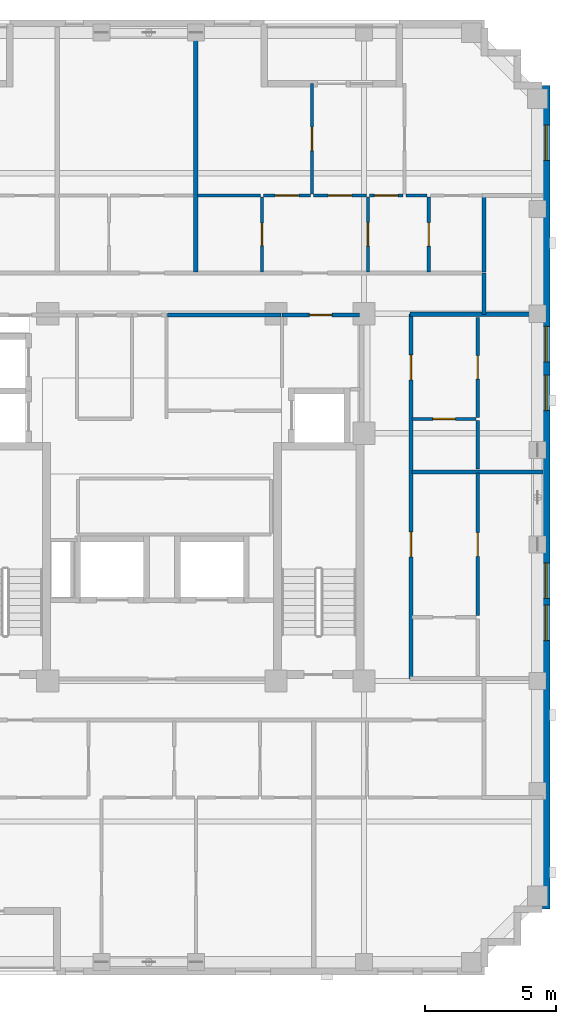
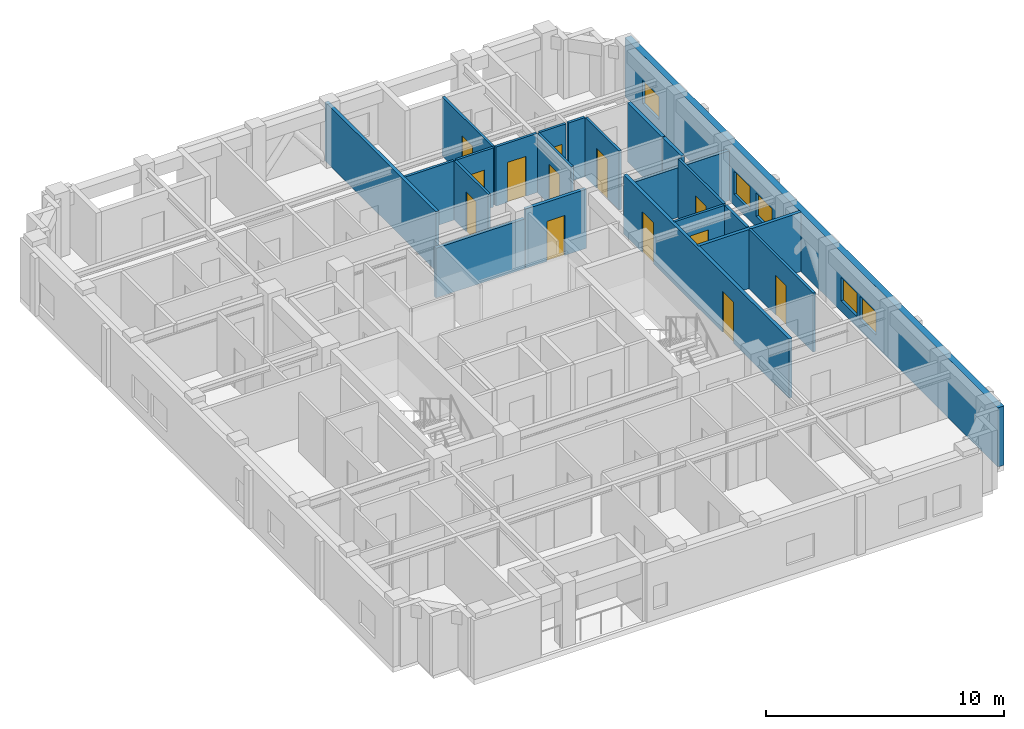
# One storey, part 6 of 11: 22 walls, 13 doors, 5 windows, 18 openings.
"""IFC4 building model written with IfcOpenShell, lengths in metres."""

from ifc_helpers import new_model, si_unit, derived_unit, direction, frame, frame_2d, origin, place, context, subcontext, project, spatial, rectangle, extrude, material, layer, layer_set, type_object, element, fill, save


model = new_model("IFC4")

# Units and contexts
model_context = context("Model", 3, precision=1e-05, world=origin(), true_north=direction((0.0, 1.0)))
body_context = subcontext(model_context, "Body", "Model", "MODEL_VIEW")
ifc_project = project(units=[si_unit("LENGTHUNIT", "METRE"), si_unit("AREAUNIT", "SQUARE_METRE"), si_unit("VOLUMEUNIT", "CUBIC_METRE"), si_unit("PLANEANGLEUNIT", "RADIAN"), si_unit("MASSUNIT", "GRAM", prefix="KILO"), derived_unit("THERMALTRANSMITTANCEUNIT", [(si_unit("MASSUNIT", "GRAM", prefix="KILO"), 1), (si_unit("TIMEUNIT", "SECOND"), -3), (si_unit("THERMODYNAMICTEMPERATUREUNIT", "KELVIN"), -1)])], contexts=[model_context])

# Site, building, storey
site_placement = place(None, origin())
site = spatial("IfcSite", under=ifc_project, at=site_placement, CompositionType="ELEMENT")
building_placement = place(site_placement, origin())
building = spatial("IfcBuilding", under=site, at=building_placement, Name="Korrvale Station Residences", CompositionType="ELEMENT")
storey_placement = place(building_placement, frame((0.0, 0.0, 187.60009765625)))
storey = spatial("IfcBuildingStorey", under=building, at=storey_placement, Name="L54", CompositionType="ELEMENT", Elevation=187.60009765625)

# Wall, openings, windows
ifc_material_1 = material(Name="Precast concrete C45/55", Category="concrete")
ifc_layer_1 = layer(ifc_material_1, 0.300048828125, Name="Precast concrete C45/55")
ifc_layer_set_1 = layer_set([ifc_layer_1], Name="Precast concrete C45/55")
wall_type_1 = type_object("IfcWallType", Name="WAL-EXT-PC300", PredefinedType="SOLIDWALL", material=ifc_layer_set_1)
wall_1_placement = place(storey_placement, frame((40.14990234375, 37.699951171875, 0.0), z_axis=(0.0, 0.0, 1.0), x_axis=(0.0, -1.0, 0.0)))
wall_1 = element("IfcWall", 1, at=wall_1_placement, inside=storey, type_object=wall_type_1, Name="L54 East Exterior Precast Wall 1", PredefinedType="SOLIDWALL", context=body_context, shape_type="SweptSolid", body=[
    extrude(rectangle(XDim=31.39990234375, YDim=0.300048828125, at=frame_2d((15.699951171875, 0.0))), origin(), (0.0, 0.0, 1.0), 3.039794921875),
])
opening_1_placement = place(wall_1_placement, frame((1.50390625, 0.0, 0.550048828125)))
opening_1 = element("IfcOpeningElement", 2, at=opening_1_placement, cuts=wall_1, Name="Opening W-10", PredefinedType="OPENING", context=body_context, shape_type="SweptSolid", body=[
    extrude(rectangle(XDim=1.35009765625, YDim=1.199951171875, at=frame_2d((0.675048828125, 0.60009765625))), frame((0.0, 0.16015625, 0.0), z_axis=(0.0, -1.0, 0.0), x_axis=(1.0, 0.0, 0.0)), (0.0, 0.0, 1.0), 0.320068359375),
])
opening_2_placement = place(wall_1_placement, frame((18.199951171875, 0.0, 0.550048828125)))
opening_2 = element("IfcOpeningElement", 3, at=opening_2_placement, cuts=wall_1, Name="Opening W-10", PredefinedType="OPENING", context=body_context, shape_type="SweptSolid", body=[
    extrude(rectangle(XDim=1.35009765625, YDim=1.199951171875, at=frame_2d((0.675048828125, 0.60009765625))), frame((0.0, 0.16015625, 0.0), z_axis=(0.0, -1.0, 0.0), x_axis=(1.0, 0.0, 0.0)), (0.0, 0.0, 1.0), 0.320068359375),
])
opening_3_placement = place(wall_1_placement, frame((19.81005859375, 0.0, 0.550048828125)))
opening_3 = element("IfcOpeningElement", 4, at=opening_3_placement, cuts=wall_1, Name="Opening W-10", PredefinedType="OPENING", context=body_context, shape_type="SweptSolid", body=[
    extrude(rectangle(XDim=1.35009765625, YDim=1.199951171875, at=frame_2d((0.675048828125, 0.60009765625))), frame((0.0, 0.16015625, 0.0), z_axis=(0.0, -1.0, 0.0), x_axis=(1.0, 0.0, 0.0)), (0.0, 0.0, 1.0), 0.320068359375),
])
opening_4_placement = place(wall_1_placement, frame((11.04296875, 0.0, 0.550048828125)))
opening_4 = element("IfcOpeningElement", 5, at=opening_4_placement, cuts=wall_1, Name="Opening W-10", PredefinedType="OPENING", context=body_context, shape_type="SweptSolid", body=[
    extrude(rectangle(XDim=1.35009765625, YDim=1.199951171875, at=frame_2d((0.675048828125, 0.60009765625))), frame((0.0, 0.16015625, 0.0), z_axis=(0.0, -1.0, 0.0), x_axis=(1.0, 0.0, 0.0)), (0.0, 0.0, 1.0), 0.320068359375),
])
opening_5_placement = place(wall_1_placement, frame((9.18505859375, 0.0, 0.550048828125)))
opening_5 = element("IfcOpeningElement", 6, at=opening_5_placement, cuts=wall_1, Name="Opening W-10", PredefinedType="OPENING", context=body_context, shape_type="SweptSolid", body=[
    extrude(rectangle(XDim=1.35009765625, YDim=1.199951171875, at=frame_2d((0.675048828125, 0.60009765625))), frame((0.0, 0.16015625, 0.0), z_axis=(0.0, -1.0, 0.0), x_axis=(1.0, 0.0, 0.0)), (0.0, 0.0, 1.0), 0.320068359375),
])
ifc_material_2 = material(Name="Thermally broken aluminium frame with triple low-e glazing", Category="aluminium")
window_type = type_object("IfcWindowType", Name="WIN-W10", PartitioningType="SINGLE_PANEL", PredefinedType="WINDOW", material=ifc_material_2)
window_1_placement = place(opening_1_placement, origin())
window_1 = element("IfcWindow", 7, at=window_1_placement, inside=storey, type_object=window_type, Name="L54 Punched Window 10", OverallHeight=1.199951171875, OverallWidth=1.35009765625, PartitioningType="SINGLE_PANEL", PredefinedType="WINDOW", context=body_context, shape_type="SweptSolid", body=[
    extrude(rectangle(XDim=1.35009765625, YDim=1.199951171875, at=frame_2d((0.675048828125, 0.60009765625))), frame((0.0, 0.030029296875, 0.0), z_axis=(0.0, -1.0, 0.0), x_axis=(1.0, 0.0, 0.0)), (0.0, 0.0, 1.0), 0.06005859375),
])
fill(opening_1, window_1)
window_2_placement = place(opening_2_placement, origin())
window_2 = element("IfcWindow", 8, at=window_2_placement, inside=storey, type_object=window_type, Name="L54 Punched Window 15", OverallHeight=1.199951171875, OverallWidth=1.35009765625, PartitioningType="SINGLE_PANEL", PredefinedType="WINDOW", context=body_context, shape_type="SweptSolid", body=[
    extrude(rectangle(XDim=1.35009765625, YDim=1.199951171875, at=frame_2d((0.675048828125, 0.60009765625))), frame((0.0, 0.030029296875, 0.0), z_axis=(0.0, -1.0, 0.0), x_axis=(1.0, 0.0, 0.0)), (0.0, 0.0, 1.0), 0.06005859375),
])
fill(opening_2, window_2)
window_3_placement = place(opening_3_placement, origin())
window_3 = element("IfcWindow", 9, at=window_3_placement, inside=storey, type_object=window_type, Name="L54 Punched Window 16", OverallHeight=1.199951171875, OverallWidth=1.35009765625, PartitioningType="SINGLE_PANEL", PredefinedType="WINDOW", context=body_context, shape_type="SweptSolid", body=[
    extrude(rectangle(XDim=1.35009765625, YDim=1.199951171875, at=frame_2d((0.675048828125, 0.60009765625))), frame((0.0, 0.030029296875, 0.0), z_axis=(0.0, -1.0, 0.0), x_axis=(1.0, 0.0, 0.0)), (0.0, 0.0, 1.0), 0.06005859375),
])
fill(opening_3, window_3)
window_4_placement = place(opening_4_placement, origin())
window_4 = element("IfcWindow", 10, at=window_4_placement, inside=storey, type_object=window_type, Name="L54 Punched Window 17", OverallHeight=1.199951171875, OverallWidth=1.35009765625, PartitioningType="SINGLE_PANEL", PredefinedType="WINDOW", context=body_context, shape_type="SweptSolid", body=[
    extrude(rectangle(XDim=1.35009765625, YDim=1.199951171875, at=frame_2d((0.675048828125, 0.60009765625))), frame((0.0, 0.030029296875, 0.0), z_axis=(0.0, -1.0, 0.0), x_axis=(1.0, 0.0, 0.0)), (0.0, 0.0, 1.0), 0.06005859375),
])
fill(opening_4, window_4)
window_5_placement = place(opening_5_placement, origin())
window_5 = element("IfcWindow", 11, at=window_5_placement, inside=storey, type_object=window_type, Name="L54 Punched Window 18", OverallHeight=1.199951171875, OverallWidth=1.35009765625, PartitioningType="SINGLE_PANEL", PredefinedType="WINDOW", context=body_context, shape_type="SweptSolid", body=[
    extrude(rectangle(XDim=1.35009765625, YDim=1.199951171875, at=frame_2d((0.675048828125, 0.60009765625))), frame((0.0, 0.030029296875, 0.0), z_axis=(0.0, -1.0, 0.0), x_axis=(1.0, 0.0, 0.0)), (0.0, 0.0, 1.0), 0.06005859375),
])
fill(opening_5, window_5)

# Wall, opening, door
ifc_material_3 = material(Name="Acoustic steel-stud gypsum board partition", Category="steel")
ifc_layer_2 = layer(ifc_material_3, 0.1201171875, Name="Acoustic steel-stud gypsum board partition")
ifc_layer_set_2 = layer_set([ifc_layer_2], Name="Acoustic steel-stud gypsum board partition")
wall_type_2 = type_object("IfcWallType", Name="WAL-PART-125", PredefinedType="PARTITIONING", material=ifc_layer_set_2)
wall_2_placement = place(storey_placement, frame((29.31201171875, 30.60009765625, 0.0), z_axis=(0.0, 0.0, 1.0), x_axis=(0.0, 1.0, 0.0)))
wall_2 = element("IfcWall", 12, at=wall_2_placement, inside=storey, type_object=wall_type_2, Name="L54 Suite Partition U06-V01", PredefinedType="PARTITIONING", context=body_context, shape_type="SweptSolid", body=[
    extrude(rectangle(XDim=2.849853515625, YDim=0.1201171875, at=frame_2d((1.4248046875, 0.0))), origin(), (0.0, 0.0, 1.0), 3.039794921875),
])
opening_6_placement = place(wall_2_placement, frame((0.9951171875, 0.0, 0.0)))
opening_6 = element("IfcOpeningElement", 13, at=opening_6_placement, cuts=wall_2, Name="Opening DB-860", PredefinedType="OPENING", context=body_context, shape_type="SweptSolid", body=[
    extrude(rectangle(XDim=0.860107421875, YDim=2.050048828125, at=frame_2d((0.43017578125, 1.02490234375))), frame((0.0, 0.070068359375, 0.0), z_axis=(0.0, -1.0, 0.0), x_axis=(1.0, 0.0, 0.0)), (0.0, 0.0, 1.0), 0.14013671875),
])
ifc_material_4 = material(Name="Moisture-resistant solid-core bathroom door", Category="timber")
door_type_1 = type_object("IfcDoorType", Name="DR-BATH-860", OperationType="NOTDEFINED", PredefinedType="DOOR", material=ifc_material_4)
door_1_placement = place(opening_6_placement, origin())
door_1 = element("IfcDoor", 14, at=door_1_placement, inside=storey, type_object=door_type_1, Name="L54 Apartment 1BR L54-U06 Bathroom Door", OperationType="SINGLE_SWING_LEFT", OverallHeight=2.050048828125, OverallWidth=0.860107421875, PredefinedType="DOOR", context=body_context, shape_type="SweptSolid", body=[
    extrude(rectangle(XDim=0.860107421875, YDim=2.050048828125, at=frame_2d((0.43017578125, 1.02490234375))), frame((0.0, 0.02490234375, 0.0), z_axis=(0.0, -1.0, 0.0), x_axis=(1.0, 0.0, 0.0)), (0.0, 0.0, 1.0), 0.050048828125),
])
fill(opening_6, door_1)

# Wall
wall_3_placement = place(storey_placement, frame((26.85205078125, 33.510009765625, 0.0), z_axis=(0.0, 0.0, 1.0), x_axis=(1.0, 0.0, 0.0)))
element("IfcWall", 15, at=wall_3_placement, inside=storey, type_object=wall_type_2, Name="L54 Suite Partition U06-H04", PredefinedType="PARTITIONING", context=body_context, shape_type="SweptSolid", body=[
    extrude(rectangle(XDim=2.39990234375, YDim=0.1201171875, at=frame_2d((1.199951171875, 0.0))), origin(), (0.0, 0.0, 1.0), 3.039794921875),
])

# Wall, opening, door
wall_4_placement = place(storey_placement, frame((33.35205078125, 30.60009765625, 0.0), z_axis=(0.0, 0.0, 1.0), x_axis=(0.0, 1.0, 0.0)))
wall_4 = element("IfcWall", 16, at=wall_4_placement, inside=storey, type_object=wall_type_2, Name="L54 Suite Partition U06-V12", PredefinedType="PARTITIONING", context=body_context, shape_type="SweptSolid", body=[
    extrude(rectangle(XDim=2.849853515625, YDim=0.1201171875, at=frame_2d((1.4248046875, 0.0))), origin(), (0.0, 0.0, 1.0), 3.039794921875),
])
opening_7_placement = place(wall_4_placement, frame((0.97509765625, 0.0, 0.0)))
opening_7 = element("IfcOpeningElement", 17, at=opening_7_placement, cuts=wall_4, Name="Opening DI-900", PredefinedType="OPENING", context=body_context, shape_type="SweptSolid", body=[
    extrude(rectangle(XDim=0.89990234375, YDim=2.050048828125, at=frame_2d((0.449951171875, 1.02490234375))), frame((0.0, 0.070068359375, 0.0), z_axis=(0.0, -1.0, 0.0), x_axis=(1.0, 0.0, 0.0)), (0.0, 0.0, 1.0), 0.14013671875),
])
ifc_material_5 = material(Name="Painted solid-core timber interior room door", Category="wood")
door_type_2 = type_object("IfcDoorType", Name="DR-INT-900", OperationType="NOTDEFINED", PredefinedType="DOOR", material=ifc_material_5)
door_2_placement = place(opening_7_placement, origin())
door_2 = element("IfcDoor", 18, at=door_2_placement, inside=storey, type_object=door_type_2, Name="L54 Apartment 1BR L54-U06 Kitchen Door", OperationType="SINGLE_SWING_RIGHT", OverallHeight=2.050048828125, OverallWidth=0.89990234375, PredefinedType="DOOR", context=body_context, shape_type="SweptSolid", body=[
    extrude(rectangle(XDim=0.89990234375, YDim=2.050048828125, at=frame_2d((0.449951171875, 1.02490234375))), frame((0.0, 0.02490234375, 0.0), z_axis=(0.0, -1.0, 0.0), x_axis=(1.0, 0.0, 0.0)), (0.0, 0.0, 1.0), 0.050048828125),
])
fill(opening_7, door_2)

wall_5_placement = place(storey_placement, frame((29.3720703125, 33.510009765625, 0.0), z_axis=(0.0, 0.0, 1.0), x_axis=(1.0, 0.0, 0.0)))
wall_5 = element("IfcWall", 19, at=wall_5_placement, inside=storey, type_object=wall_type_2, Name="L54 Suite Partition U06-H14", PredefinedType="PARTITIONING", context=body_context, shape_type="SweptSolid", body=[
    extrude(rectangle(XDim=1.791015625, YDim=0.1201171875, at=frame_2d((0.8955078125, 0.0))), origin(), (0.0, 0.0, 1.0), 3.039794921875),
])
opening_8_placement = place(wall_5_placement, frame((0.445068359375, 0.0, 0.0)))
opening_8 = element("IfcOpeningElement", 20, at=opening_8_placement, cuts=wall_5, Name="Opening DI-900", PredefinedType="OPENING", context=body_context, shape_type="SweptSolid", body=[
    extrude(rectangle(XDim=0.89990234375, YDim=2.050048828125, at=frame_2d((0.449951171875, 1.02490234375))), frame((0.0, 0.070068359375, 0.0), z_axis=(0.0, -1.0, 0.0), x_axis=(1.0, 0.0, 0.0)), (0.0, 0.0, 1.0), 0.14013671875),
])
door_3_placement = place(opening_8_placement, origin())
door_3 = element("IfcDoor", 21, at=door_3_placement, inside=storey, type_object=door_type_2, Name="L54 Apartment 1BR L54-U06 Kitchen Door", OperationType="SINGLE_SWING_LEFT", OverallHeight=2.050048828125, OverallWidth=0.89990234375, PredefinedType="DOOR", context=body_context, shape_type="SweptSolid", body=[
    extrude(rectangle(XDim=0.89990234375, YDim=2.050048828125, at=frame_2d((0.449951171875, 1.02490234375))), frame((0.0, 0.02490234375, 0.0), z_axis=(0.0, -1.0, 0.0), x_axis=(1.0, 0.0, 0.0)), (0.0, 0.0, 1.0), 0.050048828125),
])
fill(opening_8, door_3)

wall_6_placement = place(storey_placement, frame((31.282958984375, 33.510009765625, 0.0), z_axis=(0.0, 0.0, 1.0), x_axis=(1.0, 0.0, 0.0)))
wall_6 = element("IfcWall", 22, at=wall_6_placement, inside=storey, type_object=wall_type_2, Name="L54 Suite Partition U06-H15", PredefinedType="PARTITIONING", context=body_context, shape_type="SweptSolid", body=[
    extrude(rectangle(XDim=2.009033203125, YDim=0.1201171875, at=frame_2d((1.00439453125, 0.0))), origin(), (0.0, 0.0, 1.0), 3.039794921875),
])
opening_9_placement = place(wall_6_placement, frame((0.553955078125, 0.0, 0.0)))
opening_9 = element("IfcOpeningElement", 23, at=opening_9_placement, cuts=wall_6, Name="Opening DI-900", PredefinedType="OPENING", context=body_context, shape_type="SweptSolid", body=[
    extrude(rectangle(XDim=0.89990234375, YDim=2.050048828125, at=frame_2d((0.449951171875, 1.02490234375))), frame((0.0, 0.070068359375, 0.0), z_axis=(0.0, -1.0, 0.0), x_axis=(1.0, 0.0, 0.0)), (0.0, 0.0, 1.0), 0.14013671875),
])
door_4_placement = place(opening_9_placement, origin())
door_4 = element("IfcDoor", 24, at=door_4_placement, inside=storey, type_object=door_type_2, Name="L54 Apartment 1BR L54-U06 Kitchen Door", OperationType="SINGLE_SWING_RIGHT", OverallHeight=2.050048828125, OverallWidth=0.89990234375, PredefinedType="DOOR", context=body_context, shape_type="SweptSolid", body=[
    extrude(rectangle(XDim=0.89990234375, YDim=2.050048828125, at=frame_2d((0.449951171875, 1.02490234375))), frame((0.0, 0.02490234375, 0.0), z_axis=(0.0, -1.0, 0.0), x_axis=(1.0, 0.0, 0.0)), (0.0, 0.0, 1.0), 0.050048828125),
])
fill(opening_9, door_4)

wall_7_placement = place(storey_placement, frame((35.672119140625, 30.60009765625, 0.0), z_axis=(0.0, 0.0, 1.0), x_axis=(0.0, 1.0, 0.0)))
wall_7 = element("IfcWall", 25, at=wall_7_placement, inside=storey, type_object=wall_type_2, Name="L54 Suite Partition U06-V23", PredefinedType="PARTITIONING", context=body_context, shape_type="SweptSolid", body=[
    extrude(rectangle(XDim=2.849853515625, YDim=0.1201171875, at=frame_2d((1.4248046875, 0.0))), origin(), (0.0, 0.0, 1.0), 3.039794921875),
])
opening_10_placement = place(wall_7_placement, frame((0.97509765625, 0.0, 0.0)))
opening_10 = element("IfcOpeningElement", 26, at=opening_10_placement, cuts=wall_7, Name="Opening DI-900", PredefinedType="OPENING", context=body_context, shape_type="SweptSolid", body=[
    extrude(rectangle(XDim=0.89990234375, YDim=2.050048828125, at=frame_2d((0.449951171875, 1.02490234375))), frame((0.0, 0.070068359375, 0.0), z_axis=(0.0, -1.0, 0.0), x_axis=(1.0, 0.0, 0.0)), (0.0, 0.0, 1.0), 0.14013671875),
])
door_5_placement = place(opening_10_placement, origin())
door_5 = element("IfcDoor", 27, at=door_5_placement, inside=storey, type_object=door_type_2, Name="L54 Apartment 1BR L54-U06 Wardrobe Storage Room Door", OperationType="SINGLE_SWING_LEFT", OverallHeight=2.050048828125, OverallWidth=0.89990234375, PredefinedType="DOOR", context=body_context, shape_type="SweptSolid", body=[
    extrude(rectangle(XDim=0.89990234375, YDim=2.050048828125, at=frame_2d((0.449951171875, 1.02490234375))), frame((0.0, 0.02490234375, 0.0), z_axis=(0.0, -1.0, 0.0), x_axis=(1.0, 0.0, 0.0)), (0.0, 0.0, 1.0), 0.050048828125),
])
fill(opening_10, door_5)

wall_8_placement = place(storey_placement, frame((33.412109375, 33.510009765625, 0.0), z_axis=(0.0, 0.0, 1.0), x_axis=(1.0, 0.0, 0.0)))
wall_8 = element("IfcWall", 28, at=wall_8_placement, inside=storey, type_object=wall_type_2, Name="L54 Suite Partition U06-H25", PredefinedType="PARTITIONING", context=body_context, shape_type="SweptSolid", body=[
    extrude(rectangle(XDim=1.27783203125, YDim=0.1201171875, at=frame_2d((0.638916015625, 0.0))), origin(), (0.0, 0.0, 1.0), 3.039794921875),
])
opening_11_placement = place(wall_8_placement, frame((0.18896484375, 0.0, 0.0)))
opening_11 = element("IfcOpeningElement", 29, at=opening_11_placement, cuts=wall_8, Name="Opening DI-900", PredefinedType="OPENING", context=body_context, shape_type="SweptSolid", body=[
    extrude(rectangle(XDim=0.89990234375, YDim=2.050048828125, at=frame_2d((0.449951171875, 1.02490234375))), frame((0.0, 0.070068359375, 0.0), z_axis=(0.0, -1.0, 0.0), x_axis=(1.0, 0.0, 0.0)), (0.0, 0.0, 1.0), 0.14013671875),
])
door_6_placement = place(opening_11_placement, origin())
door_6 = element("IfcDoor", 30, at=door_6_placement, inside=storey, type_object=door_type_2, Name="L54 Apartment 1BR L54-U06 Wardrobe Storage Room Door", OperationType="SINGLE_SWING_RIGHT", OverallHeight=2.050048828125, OverallWidth=0.89990234375, PredefinedType="DOOR", context=body_context, shape_type="SweptSolid", body=[
    extrude(rectangle(XDim=0.89990234375, YDim=2.050048828125, at=frame_2d((0.449951171875, 1.02490234375))), frame((0.0, 0.02490234375, 0.0), z_axis=(0.0, -1.0, 0.0), x_axis=(1.0, 0.0, 0.0)), (0.0, 0.0, 1.0), 0.050048828125),
])
fill(opening_11, door_6)

# Wall
wall_9_placement = place(storey_placement, frame((34.81005859375, 33.510009765625, 0.0), z_axis=(0.0, 0.0, 1.0), x_axis=(1.0, 0.0, 0.0)))
element("IfcWall", 31, at=wall_9_placement, inside=storey, type_object=wall_type_2, Name="L54 Suite Partition U06-H26", PredefinedType="PARTITIONING", context=body_context, shape_type="SweptSolid", body=[
    extrude(rectangle(XDim=0.802001953125, YDim=0.1201171875, at=frame_2d((0.40087890625, 0.0))), origin(), (0.0, 0.0, 1.0), 3.039794921875),
])

# Wall, opening, door
wall_10_placement = place(storey_placement, frame((31.222900390625, 33.570068359375, 0.0), z_axis=(0.0, 0.0, 1.0), x_axis=(0.0, 1.0, 0.0)))
wall_10 = element("IfcWall", 32, at=wall_10_placement, inside=storey, type_object=wall_type_2, Name="L54 Suite Partition U06-V45", PredefinedType="PARTITIONING", context=body_context, shape_type="SweptSolid", body=[
    extrude(rectangle(XDim=4.199951171875, YDim=0.1201171875, at=frame_2d((2.10009765625, 0.0))), origin(), (0.0, 0.0, 1.0), 3.039794921875),
])
opening_12_placement = place(wall_10_placement, frame((1.64990234375, 0.0, 0.0)))
opening_12 = element("IfcOpeningElement", 33, at=opening_12_placement, cuts=wall_10, Name="Opening DI-900", PredefinedType="OPENING", context=body_context, shape_type="SweptSolid", body=[
    extrude(rectangle(XDim=0.89990234375, YDim=2.050048828125, at=frame_2d((0.449951171875, 1.02490234375))), frame((0.0, 0.070068359375, 0.0), z_axis=(0.0, -1.0, 0.0), x_axis=(1.0, 0.0, 0.0)), (0.0, 0.0, 1.0), 0.14013671875),
])
door_7_placement = place(opening_12_placement, origin())
door_7 = element("IfcDoor", 34, at=door_7_placement, inside=storey, type_object=door_type_2, Name="L54 Apartment 1BR L54-U06 Living and Dining Room Door", OperationType="SINGLE_SWING_RIGHT", OverallHeight=2.050048828125, OverallWidth=0.89990234375, PredefinedType="DOOR", context=body_context, shape_type="SweptSolid", body=[
    extrude(rectangle(XDim=0.89990234375, YDim=2.050048828125, at=frame_2d((0.449951171875, 1.02490234375))), frame((0.0, 0.02490234375, 0.0), z_axis=(0.0, -1.0, 0.0), x_axis=(1.0, 0.0, 0.0)), (0.0, 0.0, 1.0), 0.050048828125),
])
fill(opening_12, door_7)

wall_11_placement = place(storey_placement, frame((37.5400390625, 17.489013671875, 0.0), z_axis=(0.0, 0.0, 1.0), x_axis=(0.0, 1.0, 0.0)))
wall_11 = element("IfcWall", 35, at=wall_11_placement, inside=storey, type_object=wall_type_2, Name="L54 Suite Partition U09-V12", PredefinedType="PARTITIONING", context=body_context, shape_type="SweptSolid", body=[
    extrude(rectangle(XDim=5.43310546875, YDim=0.1201171875, at=frame_2d((2.716552734375, 0.0))), origin(), (0.0, 0.0, 1.0), 3.039794921875),
])
opening_13_placement = place(wall_11_placement, frame((2.26611328125, 0.0, 0.0)))
opening_13 = element("IfcOpeningElement", 36, at=opening_13_placement, cuts=wall_11, Name="Opening DI-900", PredefinedType="OPENING", context=body_context, shape_type="SweptSolid", body=[
    extrude(rectangle(XDim=0.89990234375, YDim=2.050048828125, at=frame_2d((0.449951171875, 1.02490234375))), frame((0.0, 0.070068359375, 0.0), z_axis=(0.0, -1.0, 0.0), x_axis=(1.0, 0.0, 0.0)), (0.0, 0.0, 1.0), 0.14013671875),
])
door_8_placement = place(opening_13_placement, origin())
door_8 = element("IfcDoor", 37, at=door_8_placement, inside=storey, type_object=door_type_2, Name="L54 Apartment 1BR L54-U09 Kitchen Door", OperationType="SINGLE_SWING_LEFT", OverallHeight=2.050048828125, OverallWidth=0.89990234375, PredefinedType="DOOR", context=body_context, shape_type="SweptSolid", body=[
    extrude(rectangle(XDim=0.89990234375, YDim=2.050048828125, at=frame_2d((0.449951171875, 1.02490234375))), frame((0.0, 0.02490234375, 0.0), z_axis=(0.0, -1.0, 0.0), x_axis=(1.0, 0.0, 0.0)), (0.0, 0.0, 1.0), 0.050048828125),
])
fill(opening_13, door_8)

wall_12_placement = place(storey_placement, frame((35.030029296875, 24.991943359375, 0.0), z_axis=(0.0, 0.0, 1.0), x_axis=(1.0, 0.0, 0.0)))
wall_12 = element("IfcWall", 38, at=wall_12_placement, inside=storey, type_object=wall_type_2, Name="L54 Suite Partition U10-H01", PredefinedType="PARTITIONING", context=body_context, shape_type="SweptSolid", body=[
    extrude(rectangle(XDim=2.449951171875, YDim=0.1201171875, at=frame_2d((1.22509765625, 0.0))), origin(), (0.0, 0.0, 1.0), 3.039794921875),
])
opening_14_placement = place(wall_12_placement, frame((0.794921875, 0.0, 0.0)))
opening_14 = element("IfcOpeningElement", 39, at=opening_14_placement, cuts=wall_12, Name="Opening DB-860", PredefinedType="OPENING", context=body_context, shape_type="SweptSolid", body=[
    extrude(rectangle(XDim=0.860107421875, YDim=2.050048828125, at=frame_2d((0.43017578125, 1.02490234375))), frame((0.0, 0.070068359375, 0.0), z_axis=(0.0, -1.0, 0.0), x_axis=(1.0, 0.0, 0.0)), (0.0, 0.0, 1.0), 0.14013671875),
])
door_9_placement = place(opening_14_placement, origin())
door_9 = element("IfcDoor", 40, at=door_9_placement, inside=storey, type_object=door_type_1, Name="L54 Apartment 1BR L54-U10 Bathroom Door", OperationType="SINGLE_SWING_RIGHT", OverallHeight=2.050048828125, OverallWidth=0.860107421875, PredefinedType="DOOR", context=body_context, shape_type="SweptSolid", body=[
    extrude(rectangle(XDim=0.860107421875, YDim=2.050048828125, at=frame_2d((0.43017578125, 1.02490234375))), frame((0.0, 0.02490234375, 0.0), z_axis=(0.0, -1.0, 0.0), x_axis=(1.0, 0.0, 0.0)), (0.0, 0.0, 1.0), 0.050048828125),
])
fill(opening_14, door_9)

# Wall
wall_13_placement = place(storey_placement, frame((37.5400390625, 23.08203125, 0.0), z_axis=(0.0, 0.0, 1.0), x_axis=(0.0, 1.0, 0.0)))
element("IfcWall", 41, at=wall_13_placement, inside=storey, type_object=wall_type_2, Name="L54 Suite Partition U10-V02", PredefinedType="PARTITIONING", context=body_context, shape_type="SweptSolid", body=[
    extrude(rectangle(XDim=1.849853515625, YDim=0.1201171875, at=frame_2d((0.9248046875, 0.0))), origin(), (0.0, 0.0, 1.0), 3.039794921875),
])

# Wall, opening, door
wall_14_placement = place(storey_placement, frame((37.5400390625, 25.052001953125, 0.0), z_axis=(0.0, 0.0, 1.0), x_axis=(0.0, 1.0, 0.0)))
wall_14 = element("IfcWall", 42, at=wall_14_placement, inside=storey, type_object=wall_type_2, Name="L54 Suite Partition U10-V12", PredefinedType="PARTITIONING", context=body_context, shape_type="SweptSolid", body=[
    extrude(rectangle(XDim=3.80810546875, YDim=0.1201171875, at=frame_2d((1.904052734375, 0.0))), origin(), (0.0, 0.0, 1.0), 3.039794921875),
])
opening_15_placement = place(wall_14_placement, frame((1.4541015625, 0.0, 0.0)))
opening_15 = element("IfcOpeningElement", 43, at=opening_15_placement, cuts=wall_14, Name="Opening DI-900", PredefinedType="OPENING", context=body_context, shape_type="SweptSolid", body=[
    extrude(rectangle(XDim=0.89990234375, YDim=2.050048828125, at=frame_2d((0.449951171875, 1.02490234375))), frame((0.0, 0.070068359375, 0.0), z_axis=(0.0, -1.0, 0.0), x_axis=(1.0, 0.0, 0.0)), (0.0, 0.0, 1.0), 0.14013671875),
])
door_10_placement = place(opening_15_placement, origin())
door_10 = element("IfcDoor", 44, at=door_10_placement, inside=storey, type_object=door_type_2, Name="L54 Apartment 1BR L54-U10 Kitchen Door", OperationType="SINGLE_SWING_LEFT", OverallHeight=2.050048828125, OverallWidth=0.89990234375, PredefinedType="DOOR", context=body_context, shape_type="SweptSolid", body=[
    extrude(rectangle(XDim=0.89990234375, YDim=2.050048828125, at=frame_2d((0.449951171875, 1.02490234375))), frame((0.0, 0.02490234375, 0.0), z_axis=(0.0, -1.0, 0.0), x_axis=(1.0, 0.0, 0.0)), (0.0, 0.0, 1.0), 0.050048828125),
])
fill(opening_15, door_10)

ifc_material_6 = material(Name="Fire-rated twin-stud gypsum and mineral wool shaftwall assembly", Category="gypsum")
ifc_layer_3 = layer(ifc_material_6, 0.159912109375, Name="Fire-rated twin-stud gypsum and mineral wool shaftwall assembly")
ifc_layer_set_3 = layer_set([ifc_layer_3], Name="Fire-rated twin-stud gypsum and mineral wool shaftwall assembly")
wall_type_3 = type_object("IfcWallType", Name="WAL-PART-200", PredefinedType="PARTITIONING", material=ifc_layer_set_3)
wall_15_placement = place(storey_placement, frame((30.080078125, 28.949951171875, 0.0), z_axis=(0.0, 0.0, 1.0), x_axis=(1.0, 0.0, 0.0)))
wall_15 = element("IfcWall", 45, at=wall_15_placement, inside=storey, type_object=wall_type_3, Name="L54 Core Partition CW-CS-N", PredefinedType="PARTITIONING", context=body_context, shape_type="SweptSolid", body=[
    extrude(rectangle(XDim=2.9599609375, YDim=0.159912109375, at=frame_2d((1.47998046875, 0.0))), origin(), (0.0, 0.0, 1.0), 3.039794921875),
])
opening_16_placement = place(wall_15_placement, frame((1.044921875, 0.0, 0.0)))
opening_16 = element("IfcOpeningElement", 46, at=opening_16_placement, cuts=wall_15, Name="Opening DB-860", PredefinedType="OPENING", context=body_context, shape_type="SweptSolid", body=[
    extrude(rectangle(XDim=0.860107421875, YDim=2.050048828125, at=frame_2d((0.43017578125, 1.02490234375))), frame((0.0, 0.08984375, 0.0), z_axis=(0.0, -1.0, 0.0), x_axis=(1.0, 0.0, 0.0)), (0.0, 0.0, 1.0), 0.179931640625),
])
door_11_placement = place(opening_16_placement, origin())
door_11 = element("IfcDoor", 47, at=door_11_placement, inside=storey, type_object=door_type_1, Name="L54 Parcel Room Door", OperationType="SINGLE_SWING_LEFT", OverallHeight=2.050048828125, OverallWidth=0.860107421875, PredefinedType="DOOR", context=body_context, shape_type="SweptSolid", body=[
    extrude(rectangle(XDim=0.860107421875, YDim=2.050048828125, at=frame_2d((0.43017578125, 1.02490234375))), frame((0.0, 0.02490234375, 0.0), z_axis=(0.0, -1.0, 0.0), x_axis=(1.0, 0.0, 0.0)), (0.0, 0.0, 1.0), 0.050048828125),
])
fill(opening_16, door_11)

# Walls
wall_16_placement = place(storey_placement, frame((25.719970703125, 28.949951171875, 0.0), z_axis=(0.0, 0.0, 1.0), x_axis=(1.0, 0.0, 0.0)))
element("IfcWall", 48, at=wall_16_placement, inside=storey, type_object=wall_type_3, Name="L54 Core Partition CW-FPLE-N", PredefinedType="PARTITIONING", context=body_context, shape_type="SweptSolid", body=[
    extrude(rectangle(XDim=4.320068359375, YDim=0.159912109375, at=frame_2d((2.16015625, 0.0))), origin(), (0.0, 0.0, 1.0), 2.555908203125),
])
wall_17_placement = place(storey_placement, frame((37.780029296875, 28.97998046875, 0.0), z_axis=(0.0, 0.0, 1.0), x_axis=(0.0, 1.0, 0.0)))
element("IfcWall", 49, at=wall_17_placement, inside=storey, type_object=wall_type_3, Name="L54 Corridor North East Cap", PredefinedType="PARTITIONING", context=body_context, shape_type="SweptSolid", body=[
    extrude(rectangle(XDim=1.580078125, YDim=0.159912109375, at=frame_2d((0.7900390625, 0.0))), origin(), (0.0, 0.0, 1.0), 3.039794921875),
])
wall_18_placement = place(storey_placement, frame((34.949951171875, 28.97998046875, 0.0), z_axis=(0.0, 0.0, 1.0), x_axis=(1.0, 0.0, 0.0)))
element("IfcWall", 50, at=wall_18_placement, inside=storey, type_object=wall_type_3, Name="L54 East Wing North Corridor Wall", PredefinedType="PARTITIONING", context=body_context, shape_type="SweptSolid", body=[
    extrude(rectangle(XDim=5.070068359375, YDim=0.159912109375, at=frame_2d((2.53515625, 0.0))), origin(), (0.0, 0.0, 1.0), 2.555908203125),
])
wall_19_placement = place(storey_placement, frame((37.780029296875, 30.60009765625, 0.0), z_axis=(0.0, 0.0, 1.0), x_axis=(0.0, 1.0, 0.0)))
element("IfcWall", 51, at=wall_19_placement, inside=storey, type_object=wall_type_3, Name="L54 Corner Step Cheek U06-R", PredefinedType="PARTITIONING", context=body_context, shape_type="SweptSolid", body=[
    extrude(rectangle(XDim=2.909912109375, YDim=0.159912109375, at=frame_2d((1.455078125, 0.0))), origin(), (0.0, 0.0, 1.0), 3.039794921875),
])
wall_20_placement = place(storey_placement, frame((26.7919921875, 30.60009765625, 0.0), z_axis=(0.0, 0.0, 1.0), x_axis=(0.0, 1.0, 0.0)))
element("IfcWall", 52, at=wall_20_placement, inside=storey, type_object=wall_type_3, Name="L54 Demising Wall U06-W", PredefinedType="PARTITIONING", context=body_context, shape_type="SweptSolid", body=[
    extrude(rectangle(XDim=9.31982421875, YDim=0.159912109375, at=frame_2d((4.659912109375, 0.0))), origin(), (0.0, 0.0, 1.0), 3.039794921875),
])
wall_21_placement = place(storey_placement, frame((35.030029296875, 22.9619140625, 0.0), z_axis=(0.0, 0.0, 1.0), x_axis=(1.0, 0.0, 0.0)))
element("IfcWall", 53, at=wall_21_placement, inside=storey, type_object=wall_type_3, Name="L54 Demising Wall U09-N", PredefinedType="PARTITIONING", context=body_context, shape_type="SweptSolid", body=[
    extrude(rectangle(XDim=4.989990234375, YDim=0.159912109375, at=frame_2d((2.4951171875, 0.0))), origin(), (0.0, 0.0, 1.0), 3.039794921875),
])

# Wall, openings, doors
wall_22_placement = place(storey_placement, frame((34.989990234375, 15.070068359375, 0.0), z_axis=(0.0, 0.0, 1.0), x_axis=(0.0, 1.0, 0.0)))
wall_22 = element("IfcWall", 54, at=wall_22_placement, inside=storey, type_object=wall_type_3, Name="L54 Rated Corridor Wall E", PredefinedType="PARTITIONING", context=body_context, shape_type="SweptSolid", body=[
    extrude(rectangle(XDim=13.929931640625, YDim=0.159912109375, at=frame_2d((6.96484375, 0.0))), origin(), (0.0, 0.0, 1.0), 3.039794921875),
])
opening_17_placement = place(wall_22_placement, frame((4.660888671875, 0.0, 0.0)))
opening_17 = element("IfcOpeningElement", 55, at=opening_17_placement, cuts=wall_22, Name="Opening UD-950", PredefinedType="OPENING", context=body_context, shape_type="SweptSolid", body=[
    extrude(rectangle(XDim=0.949951171875, YDim=2.10009765625, at=frame_2d((0.47509765625, 1.050048828125))), frame((0.0, 0.08984375, 0.0), z_axis=(0.0, -1.0, 0.0), x_axis=(1.0, 0.0, 0.0)), (0.0, 0.0, 1.0), 0.179931640625),
])
opening_18_placement = place(wall_22_placement, frame((11.410888671875, 0.0, 0.0)))
opening_18 = element("IfcOpeningElement", 56, at=opening_18_placement, cuts=wall_22, Name="Opening UD-950", PredefinedType="OPENING", context=body_context, shape_type="SweptSolid", body=[
    extrude(rectangle(XDim=0.949951171875, YDim=2.10009765625, at=frame_2d((0.47509765625, 1.050048828125))), frame((0.0, 0.08984375, 0.0), z_axis=(0.0, -1.0, 0.0), x_axis=(1.0, 0.0, 0.0)), (0.0, 0.0, 1.0), 0.179931640625),
])
ifc_material_7 = material(Name="Solid-core acoustic oak apartment entrance door", Category="timber")
door_type_3 = type_object("IfcDoorType", Name="DR-UNIT-950", OperationType="NOTDEFINED", PredefinedType="DOOR", material=ifc_material_7)
door_12_placement = place(opening_17_placement, origin())
door_12 = element("IfcDoor", 57, at=door_12_placement, inside=storey, type_object=door_type_3, Name="L54 Apartment L54-U09 Entrance Door", OperationType="SINGLE_SWING_RIGHT", OverallHeight=2.10009765625, OverallWidth=0.949951171875, PredefinedType="DOOR", context=body_context, shape_type="SweptSolid", body=[
    extrude(rectangle(XDim=0.949951171875, YDim=2.10009765625, at=frame_2d((0.47509765625, 1.050048828125))), frame((0.0, 0.02490234375, 0.0), z_axis=(0.0, -1.0, 0.0), x_axis=(1.0, 0.0, 0.0)), (0.0, 0.0, 1.0), 0.050048828125),
])
fill(opening_17, door_12)
door_13_placement = place(opening_18_placement, origin())
door_13 = element("IfcDoor", 58, at=door_13_placement, inside=storey, type_object=door_type_3, Name="L54 Apartment L54-U10 Entrance Door", OperationType="SINGLE_SWING_LEFT", OverallHeight=2.10009765625, OverallWidth=0.949951171875, PredefinedType="DOOR", context=body_context, shape_type="SweptSolid", body=[
    extrude(rectangle(XDim=0.949951171875, YDim=2.10009765625, at=frame_2d((0.47509765625, 1.050048828125))), frame((0.0, 0.02490234375, 0.0), z_axis=(0.0, -1.0, 0.0), x_axis=(1.0, 0.0, 0.0)), (0.0, 0.0, 1.0), 0.050048828125),
])
fill(opening_18, door_13)

save(model, "model.ifc")
